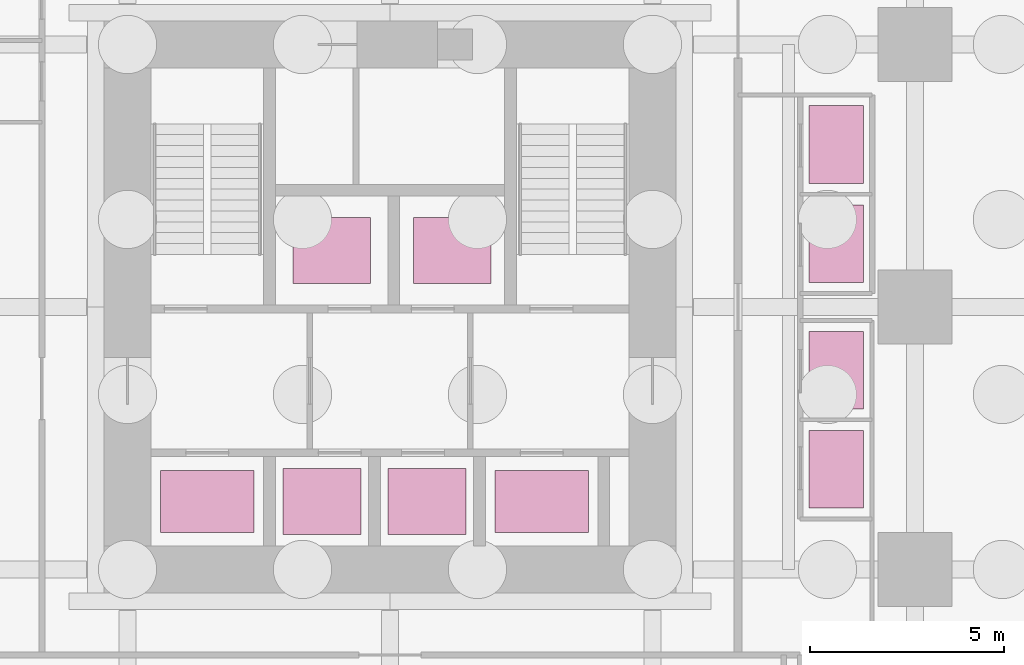
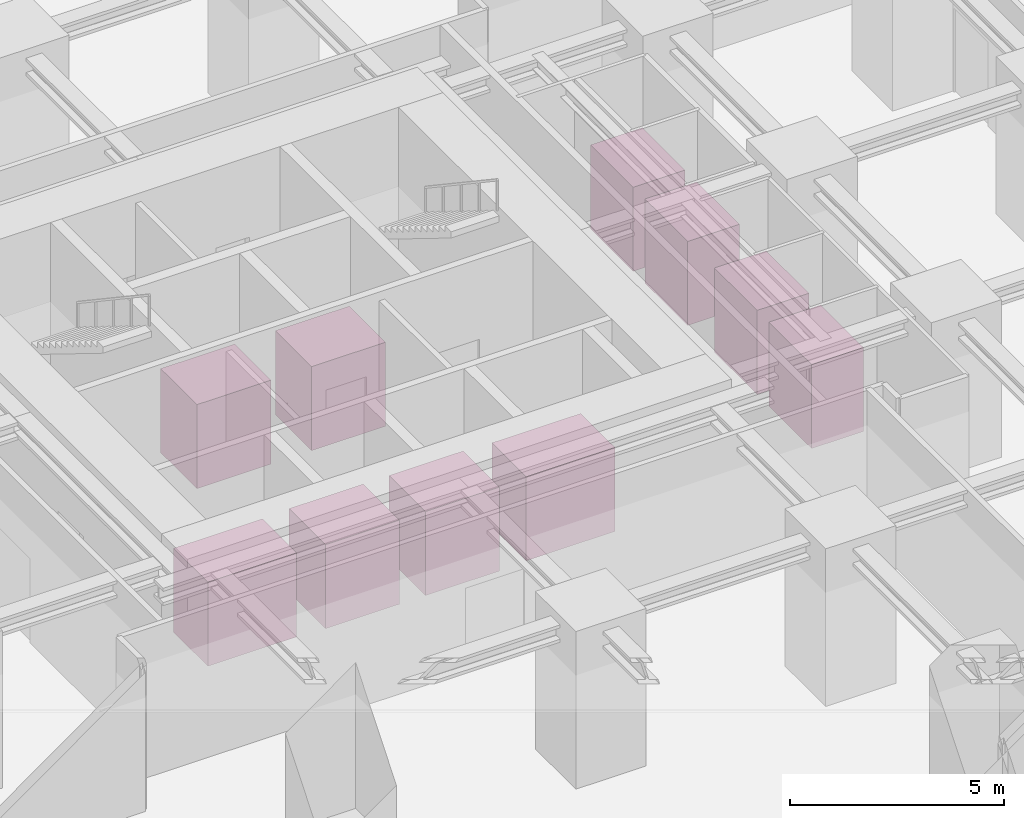
# One storey, part 14 of 14: 10 transport elements.
"""IFC4 building model written with IfcOpenShell, lengths in metres."""

from ifc_helpers import new_model, si_unit, direction, frame, origin, origin_2d, place, context, subcontext, project, spatial, rectangle, extrude, material, type_object, element, save


model = new_model("IFC4")

# Units and contexts
model_context = context("Model", 3, precision=1e-05, world=origin(), true_north=direction((0.0, 1.0)))
body_context = subcontext(model_context, "Body", "Model", "MODEL_VIEW")
ifc_project = project(units=[si_unit("LENGTHUNIT", "METRE"), si_unit("AREAUNIT", "SQUARE_METRE"), si_unit("VOLUMEUNIT", "CUBIC_METRE"), si_unit("PLANEANGLEUNIT", "RADIAN"), si_unit("MASSUNIT", "GRAM", prefix="KILO")], contexts=[model_context])

# Site, building, storey
site_placement = place(None, origin())
site = spatial("IfcSite", under=ifc_project, at=site_placement, CompositionType="ELEMENT")
building_placement = place(site_placement, origin())
building = spatial("IfcBuilding", under=site, at=building_placement, Name="Nyansa Garden Tower", CompositionType="ELEMENT")
storey_placement = place(building_placement, origin())
storey = spatial("IfcBuildingStorey", under=building, at=storey_placement, Name="L00", CompositionType="ELEMENT", Elevation=0.0)

# Transport elements
ifc_material_1 = material(Name="Steel lift car, stainless steel lining, buffer rails", Category="steel")
transport_element_type_1 = type_object("IfcTransportElementType", Name="Firefighting and goods lift FL2", PredefinedType="ELEVATOR", material=ifc_material_1)
transport_element_1_placement = place(storey_placement, frame((24.14990234375, 15.25, 0.0), z_axis=(0.0, 0.0, 1.0), x_axis=(1.0, 0.0, 0.0)))
element("IfcTransportElement", 1, at=transport_element_1_placement, inside=storey, type_object=transport_element_type_1, Name="Firefighting and goods lift FF2", PredefinedType="ELEVATOR", context=body_context, shape_type="SweptSolid", body=[
    extrude(rectangle(XDim=2.39990234375, YDim=1.60009765625, at=origin_2d()), origin(), (0.0, 0.0, 1.0), 2.39990234375),
])
ifc_material_2 = material(Name="Steel lift car, stainless steel lining", Category="steel")
transport_element_type_2 = type_object("IfcTransportElementType", Name="Firefighting lift FL1", PredefinedType="ELEVATOR", material=ifc_material_2)
transport_element_2_placement = place(storey_placement, frame((15.550048828125, 15.25, 0.0), z_axis=(0.0, 0.0, 1.0), x_axis=(1.0, 0.0, 0.0)))
element("IfcTransportElement", 2, at=transport_element_2_placement, inside=storey, type_object=transport_element_type_2, Name="Firefighting lift FF1", PredefinedType="ELEVATOR", context=body_context, shape_type="SweptSolid", body=[
    extrude(rectangle(XDim=2.39990234375, YDim=1.60009765625, at=origin_2d()), origin(), (0.0, 0.0, 1.0), 2.39990234375),
])
ifc_material_3 = material(Name="Steel lift car, stainless steel lining", Category="steel")
transport_element_type_3 = type_object("IfcTransportElementType", Name="High-rise passenger lift PL2", PredefinedType="ELEVATOR", material=ifc_material_3)
for number, where, z_axis, x_axis, name in (
    (3, (18.5, 15.25, 0.0), (0.0, 0.0, 1.0), (1.0, 0.0, 0.0), "Passenger lift B1"),
    (4, (21.199951171875, 15.25, 0.0), (0.0, 0.0, 1.0), (1.0, 0.0, 0.0), "Passenger lift B2"),
    (5, (18.75, 21.699951171875, 0.0), (0.0, 0.0, 1.0), (1.0, 0.0, 0.0), "Passenger lift B3"),
    (6, (21.85009765625, 21.699951171875, 0.0), (0.0, 0.0, 1.0), (1.0, 0.0, 0.0), "Passenger lift B4"),
):
    element("IfcTransportElement", number, at=place(storey_placement, frame(where, z_axis=z_axis, x_axis=x_axis)), inside=storey, type_object=transport_element_type_3, Name=name, PredefinedType="ELEVATOR", context=body_context, shape_type="SweptSolid", body=[
        extrude(rectangle(XDim=2.0, YDim=1.699951171875, at=origin_2d()), origin(), (0.0, 0.0, 1.0), 2.39990234375),
    ])
ifc_material_4 = material(Name="Steel lift car, stainless steel lining", Category="steel")
transport_element_type_4 = type_object("IfcTransportElementType", Name="Low-rise passenger lift PL1", PredefinedType="ELEVATOR", material=ifc_material_4)
for number, where, z_axis, x_axis, name in (
    (7, (31.72509765625, 16.074951171875, 0.0), (0.0, 0.0, 1.0), (1.0, 0.0, 0.0), "Passenger lift A1"),
    (8, (31.72509765625, 18.625, 0.0), (0.0, 0.0, 1.0), (1.0, 0.0, 0.0), "Passenger lift A2"),
    (9, (31.72509765625, 21.875, 0.0), (0.0, 0.0, 1.0), (1.0, 0.0, 0.0), "Passenger lift A3"),
    (10, (31.72509765625, 24.425048828125, 0.0), (0.0, 0.0, 1.0), (1.0, 0.0, 0.0), "Passenger lift A4"),
):
    element("IfcTransportElement", number, at=place(storey_placement, frame(where, z_axis=z_axis, x_axis=x_axis)), inside=storey, type_object=transport_element_type_4, Name=name, PredefinedType="ELEVATOR", context=body_context, shape_type="SweptSolid", body=[
        extrude(rectangle(XDim=1.39990234375, YDim=2.0, at=origin_2d()), origin(), (0.0, 0.0, 1.0), 2.39990234375),
    ])

save(model, "model.ifc")
